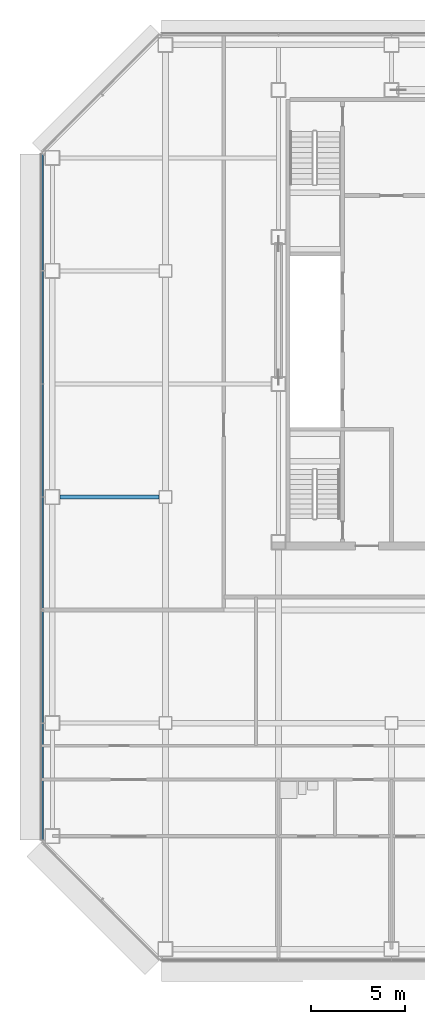
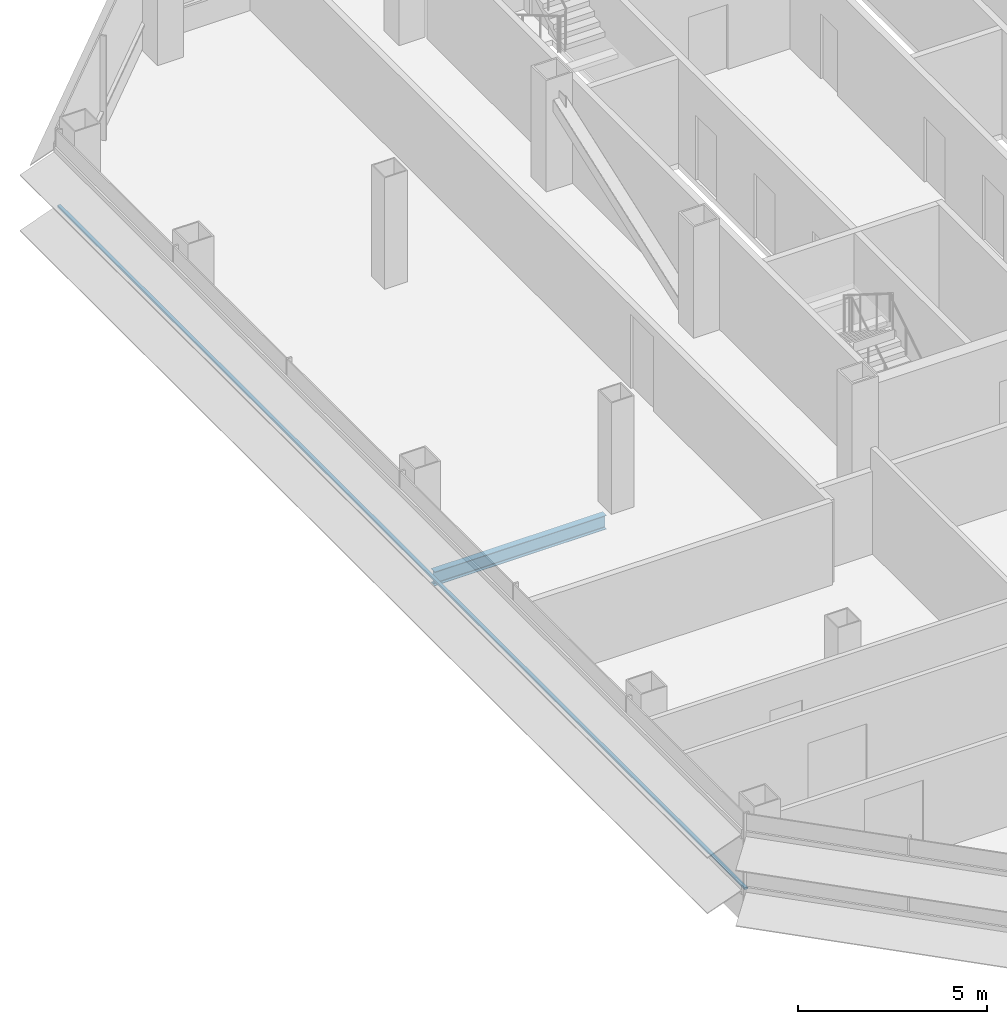
# One storey, part 5 of 26: 1 beam, 1 member, 1 element without a shape of its own.
"""IFC4 building model written with IfcOpenShell, lengths in metres."""

from ifc_helpers import new_model, si_unit, direction, frame, origin, origin_2d, place, context, subcontext, project, spatial, rectangle, i_section, extrude, material, material_profile, profile_set, type_object, element, aggregate, save


model = new_model("IFC4")

# Units and contexts
model_context = context("Model", 3, precision=1e-05, world=origin(), true_north=direction((0.0, 1.0)))
body_context = subcontext(model_context, "Body", "Model", "MODEL_VIEW")
ifc_project = project(units=[si_unit("LENGTHUNIT", "METRE"), si_unit("AREAUNIT", "SQUARE_METRE"), si_unit("VOLUMEUNIT", "CUBIC_METRE"), si_unit("PLANEANGLEUNIT", "RADIAN"), si_unit("MASSUNIT", "GRAM", prefix="KILO")], contexts=[model_context])

# Site, building, storey
site_placement = place(None, origin())
site = spatial("IfcSite", under=ifc_project, at=site_placement, CompositionType="ELEMENT")
building_placement = place(site_placement, origin())
building = spatial("IfcBuilding", under=site, at=building_placement, Name="Sorahane Residences", CompositionType="ELEMENT")
storey_placement = place(building_placement, frame((0.0, 0.0, 110.60009765625)))
storey = spatial("IfcBuildingStorey", under=building, at=storey_placement, Name="L24", CompositionType="ELEMENT", Elevation=110.60009765625)

# Curtain wall, member
ifc_material_1 = material(Name="Dark low-e glass and black anodised aluminium", Category="aluminium")
curtain_wall_type = type_object("IfcCurtainWallType", Name="Curtain wall CW-1 Typical unitised wall", PredefinedType="NOTDEFINED", material=ifc_material_1)
curtain_wall_placement = place(storey_placement, origin())
curtain_wall = element("IfcCurtainWall", 1, at=curtain_wall_placement, inside=storey, type_object=curtain_wall_type, Name="CW-1 curtain wall L24 W1", PredefinedType="NOTDEFINED")
ifc_material_2 = material(Name="Black anodised aluminium", Category="aluminium")
ifc_material_profile_1 = material_profile(ifc_material_2, rectangle(XDim=0.10009765625, YDim=0.06005859375, at=origin_2d()), Name="Curtain wall transom CW-1 black anodised aluminium 60x100")
ifc_profile_set_1 = profile_set([ifc_material_profile_1], Name="Black anodised aluminium")
member_type = type_object("IfcMemberType", Name="Curtain wall transom CW-1 black anodised aluminium 60x100", PredefinedType="USERDEFINED", material=ifc_profile_set_1)
member_placement = place(storey_placement, frame((-6.530029296875, 42.198486328125, 0.89990234375), z_axis=(0.0, -1.0, 0.0), x_axis=(1.0, 0.0, 0.0)))
member = element("IfcMember", 2, at=member_placement, type_object=member_type, Name="CW-1 transom L24 W1", ObjectType="TRANSOM", PredefinedType="USERDEFINED", context=body_context, shape_type="SweptSolid", body=[
    extrude(rectangle(XDim=0.10009765625, YDim=0.06005859375, at=origin_2d()), origin(), (0.0, 0.0, 1.0), 36.39697265625),
])
aggregate(curtain_wall, [member])

# Beam
ifc_material_3 = material(Name="Steel Q355B", Category="steel")
ifc_material_profile_2 = material_profile(ifc_material_3, i_section(OverallWidth=0.199951171875, OverallDepth=0.449951171875, WebThickness=0.009033203125, FlangeThickness=0.013916015625, FilletRadius=0.02001953125, at=origin_2d()), Name="HN 450x200x9x14")
ifc_profile_set_2 = profile_set([ifc_material_profile_2], Name="Steel Q355B")
beam_type = type_object("IfcBeamType", Name="Steel floor beam HN 450x200x9x14 Q355B", PredefinedType="BEAM", material=ifc_profile_set_2)
beam_placement = place(storey_placement, frame((-5.60009765625, 24.0, -0.405029296875), z_axis=(1.0, 0.0, 0.0), x_axis=(0.0, 1.0, 0.0)))
element("IfcBeam", 3, at=beam_placement, inside=storey, type_object=beam_type, Name="Beam L24 011", PredefinedType="BEAM", context=body_context, shape_type="SweptSolid", body=[
    extrude(i_section(OverallWidth=0.199951171875, OverallDepth=0.449951171875, WebThickness=0.009033203125, FlangeThickness=0.013916015625, FilletRadius=0.02001953125, at=origin_2d()), origin(), (0.0, 0.0, 1.0), 5.25),
])

save(model, "model.ifc")
